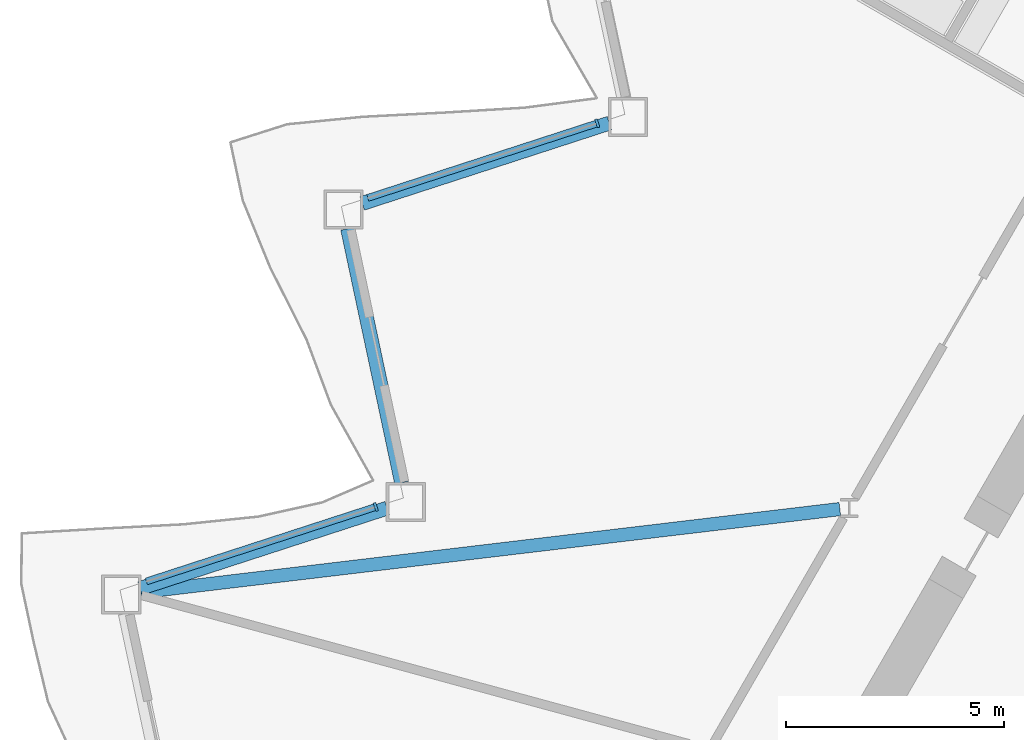
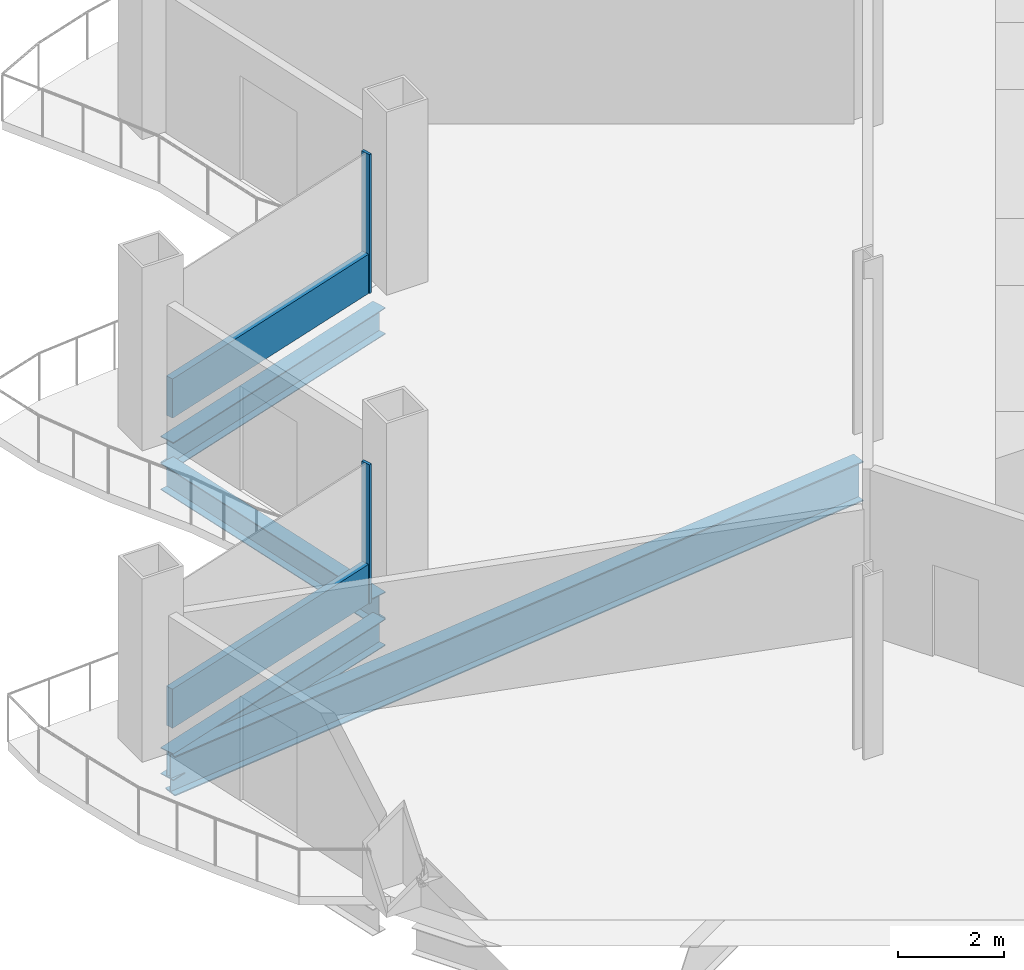
# One storey, part 4 of 21: 4 beams, 4 members, 2 elements without a shape of their own.
"""IFC4 building model written with IfcOpenShell, lengths in metres."""

import ifcopenshell
import ifcopenshell.guid

model = None  # the IFC model being written
_history = None  # IfcOwnerHistory: only IFC2X3 demands one
_inside = {}  # id of a spatial element -> (the spatial element, [elements in it])
_under = {}  # id of a project, library or spatial element -> (it, [spatial elements below it])
_declared = {}  # id of a project -> (the project, [libraries it declares])
_typed = {}  # id of a type object -> (the type object, [elements of that type])
_made_of = {}  # id of a material, layer set ... -> (it, [elements and type objects made of it])


def new_model(schema):
    """Start an empty IFC model of exactly this schema.

    Asked for "IFC4X3", IfcOpenShell would pick the latest addendum, in which some entities
    have other attributes; the version numbers below select the first issue.
    IFC2X3 requires an IfcOwnerHistory on every rooted entity: one is made here for all.
    """
    global model, _history
    if schema == "IFC4X3":
        model = ifcopenshell.file(schema_version=(4, 3, 0, 0))
    else:
        model = ifcopenshell.file(schema=schema)
    _inside.clear()
    _under.clear()
    _declared.clear()
    _typed.clear()
    _made_of.clear()
    _history = None
    if model.schema == "IFC2X3":
        org = make("IfcOrganization", Name="unknown")
        user = make(
            "IfcPersonAndOrganization",
            ThePerson=make("IfcPerson", FamilyName="unknown"),
            TheOrganization=org,
        )
        app = make(
            "IfcApplication",
            ApplicationDeveloper=org,
            Version="unknown",
            ApplicationFullName="unknown",
            ApplicationIdentifier="unknown",
        )
        _history = make(
            "IfcOwnerHistory",
            OwningUser=user,
            OwningApplication=app,
            ChangeAction="ADDED",
            CreationDate=0,
        )
    return model


def make(cls, **values):
    """One entity of the class cls with the attributes given. An attribute that is None is left unset."""
    return model.create_entity(
        cls, **{name: value for name, value in values.items() if value is not None}
    )


def rooted(cls, **values):
    """An entity with a GlobalId (a new one), such as an element, a storey or a relation."""
    return make(cls, GlobalId=ifcopenshell.guid.new(), OwnerHistory=_history, **values)


def si_unit(unit_type, name, prefix=None):
    """IfcSIUnit, for example si_unit("LENGTHUNIT", "METRE", prefix="MILLI")."""
    return make("IfcSIUnit", UnitType=unit_type, Prefix=prefix, Name=name)


def assignment(units):
    """IfcUnitAssignment: the units of a project."""
    return None if units is None else make("IfcUnitAssignment", Units=units)


def point(xyz):
    """IfcCartesianPoint."""
    return None if xyz is None else make("IfcCartesianPoint", Coordinates=xyz)


def direction(xyz):
    """IfcDirection."""
    return None if xyz is None else make("IfcDirection", DirectionRatios=xyz)


def frame(location, z_axis=None, x_axis=None):
    """IfcAxis2Placement3D, a coordinate frame: its origin and axes. An axis left out is left unset."""
    return make(
        "IfcAxis2Placement3D",
        Location=point(location),
        Axis=direction(z_axis),
        RefDirection=direction(x_axis),
    )


def frame_2d(location, x_axis=None):
    """IfcAxis2Placement2D, a coordinate frame in the plane: its origin and x axis."""
    return make(
        "IfcAxis2Placement2D", Location=point(location), RefDirection=direction(x_axis)
    )


def origin():
    """The frame at (0, 0, 0) with its axes left unset."""
    return frame((0.0, 0.0, 0.0))


def origin_2d():
    """The frame at (0, 0) in the plane with its x axis left unset."""
    return frame_2d((0.0, 0.0))


def place(relative_to, where):
    """IfcLocalPlacement: puts the frame where relative to a parent placement (None: the world)."""
    return make(
        "IfcLocalPlacement", PlacementRelTo=relative_to, RelativePlacement=where
    )


def context(
    kind, dimensions, precision=None, world=None, true_north=None, identifier=None
):
    """IfcGeometricRepresentationContext, for example the 3D "Model" context."""
    return make(
        "IfcGeometricRepresentationContext",
        ContextIdentifier=identifier,
        ContextType=kind,
        CoordinateSpaceDimension=dimensions,
        Precision=precision,
        WorldCoordinateSystem=world,
        TrueNorth=true_north,
    )


def subcontext(parent, identifier, kind, view, scale=None):
    """IfcGeometricRepresentationSubContext, for example "Body" below "Model"."""
    return make(
        "IfcGeometricRepresentationSubContext",
        ContextIdentifier=identifier,
        ContextType=kind,
        ParentContext=parent,
        TargetScale=scale,
        TargetView=view,
    )


def project(units=None, contexts=None):
    """IfcProject with its units and contexts."""
    return rooted(
        "IfcProject",
        Name="project",
        RepresentationContexts=contexts,
        UnitsInContext=assignment(units),
    )


def spatial(cls, under=None, at=None, **own):
    """A site, building, storey or space (cls), placed at a placement, below another one or the project."""
    s = rooted(cls, ObjectPlacement=at, **own)
    if under is not None:
        _under.setdefault(under.id(), (under, []))[1].append(s)
    return s


def profile(cls, at=None, kind="AREA", **sizes):
    """A parametric profile (cls). Its sizes go by their IFC names, for example OverallWidth=200.0."""
    return make(cls, ProfileType=kind, Position=at, **sizes)


def rectangle(**sizes):
    """IfcRectangleProfileDef."""
    return profile("IfcRectangleProfileDef", **sizes)


def i_section(**sizes):
    """IfcIShapeProfileDef."""
    return profile("IfcIShapeProfileDef", **sizes)


def extrude(swept, where, along, depth):
    """IfcExtrudedAreaSolid: the profile swept, set in the frame where, extruded along a direction by depth."""
    return make(
        "IfcExtrudedAreaSolid",
        SweptArea=swept,
        Position=where,
        ExtrudedDirection=direction(along),
        Depth=depth,
    )


def shape(context_of_items, identifier, shape_type, items):
    """IfcShapeRepresentation: the items that make up one representation, for example the "Body"."""
    return make(
        "IfcShapeRepresentation",
        ContextOfItems=context_of_items,
        RepresentationIdentifier=identifier,
        RepresentationType=shape_type,
        Items=items,
    )


def material(Name=None, Category=None):
    """IfcMaterial."""
    return make("IfcMaterial", Name=Name, Category=Category)


def layer(
    of_material, thickness, ventilated=None, Name=None, Category=None, Priority=None
):
    """IfcMaterialLayer: one layer of a wall or slab, of a material (None: an air gap)."""
    return make(
        "IfcMaterialLayer",
        Material=of_material,
        LayerThickness=thickness,
        IsVentilated=ventilated,
        Name=Name,
        Category=Category,
        Priority=Priority,
    )


def layer_set(layers, Name=None):
    """IfcMaterialLayerSet."""
    return make("IfcMaterialLayerSet", MaterialLayers=layers, LayerSetName=Name)


def material_profile(
    of_material, cross_section, Name=None, Category=None, Priority=None
):
    """IfcMaterialProfile: a cross section and its material."""
    return make(
        "IfcMaterialProfile",
        Name=Name,
        Material=of_material,
        Profile=cross_section,
        Priority=Priority,
        Category=Category,
    )


def profile_set(profiles, Name=None, composite=None):
    """IfcMaterialProfileSet."""
    return make(
        "IfcMaterialProfileSet",
        Name=Name,
        MaterialProfiles=profiles,
        CompositeProfile=composite,
    )


def made_of(thing, what):
    """Note that an element or type object is made of a material, layer set ...; save() writes the relation."""
    if what is not None:
        _made_of.setdefault(what.id(), (what, []))[1].append(thing)
    return thing


def type_object(cls, material=None, **own):
    """A type object (cls), such as IfcWallType, which elements share."""
    return made_of(rooted(cls, **own), material)


def element(
    cls,
    number,
    at=None,
    inside=None,
    cuts=None,
    type_object=None,
    material=None,
    context=None,
    identifier="Body",
    shape_type=None,
    held_by="IfcProductDefinitionShape",
    body=None,
    shapes=None,
    **own,
):
    """One element of the class cls, such as IfcWall. Its Tag is "e" and its number.

    at: its placement. inside: the storey or other place that contains it. cuts: it is an
    opening in that element (IfcRelVoidsElement). A single representation is given by context,
    identifier, shape_type and body (its items); several are given by shapes. held_by: the class
    of the entity that holds the representations. save() writes the other relations.
    """
    e = rooted(cls, Tag="e%d" % number, ObjectPlacement=at, **own)
    if body is not None:
        shapes = [shape(context, identifier, shape_type, body)]
    if shapes is not None:
        e.Representation = make(held_by, Representations=shapes)
    if inside is not None:
        _inside.setdefault(inside.id(), (inside, []))[1].append(e)
    if cuts is not None:
        rooted(
            "IfcRelVoidsElement", RelatingBuildingElement=cuts, RelatedOpeningElement=e
        )
    if type_object is not None:
        _typed.setdefault(type_object.id(), (type_object, []))[1].append(e)
    return made_of(e, material)


def aggregate(whole, parts):
    """IfcRelAggregates: a whole, such as a stair, and the parts it consists of."""
    return rooted("IfcRelAggregates", RelatingObject=whole, RelatedObjects=parts)


def save(model, path):
    """Write the relations noted so far, then the file.

    IfcRelAggregates (storeys below a building ...), IfcRelContainedInSpatialStructure (elements
    in a storey), IfcRelDefinesByType, IfcRelAssociatesMaterial and IfcRelDeclares: one each for
    every whole, place, type object, material and project.
    """
    for whole, parts in _under.values():
        aggregate(whole, parts)
    for where, things in _inside.values():
        rooted(
            "IfcRelContainedInSpatialStructure",
            RelatedElements=things,
            RelatingStructure=where,
        )
    for kind, things in _typed.values():
        rooted("IfcRelDefinesByType", RelatedObjects=things, RelatingType=kind)
    for what, things in _made_of.values():
        rooted("IfcRelAssociatesMaterial", RelatedObjects=things, RelatingMaterial=what)
    for by, libraries in _declared.values():
        rooted("IfcRelDeclares", RelatingContext=by, RelatedDefinitions=libraries)
    model.write(path)


model = new_model("IFC4")

# Units and contexts
model_context = context("Model", 3, precision=1e-05, world=origin(), true_north=direction((0.0, 1.0)))
body_context = subcontext(model_context, "Body", "Model", "MODEL_VIEW")
ifc_project = project(units=[si_unit("LENGTHUNIT", "METRE"), si_unit("AREAUNIT", "SQUARE_METRE"), si_unit("VOLUMEUNIT", "CUBIC_METRE"), si_unit("PLANEANGLEUNIT", "RADIAN"), si_unit("MASSUNIT", "GRAM", prefix="KILO")], contexts=[model_context])

# Site, building, storey
site_placement = place(None, origin())
site = spatial("IfcSite", under=ifc_project, at=site_placement, CompositionType="ELEMENT")
building_placement = place(site_placement, origin())
building = spatial("IfcBuilding", under=site, at=building_placement, Name="Cormorant Prow Tower", CompositionType="ELEMENT")
storey_placement = place(building_placement, frame((0.0, 0.0, 150.0)))
storey = spatial("IfcBuildingStorey", under=building, at=storey_placement, Name="L32", CompositionType="ELEMENT", Elevation=150.0)

# Curtain wall, member
ifc_material_1 = material(Name="Aluminium 6063-T6", Category="aluminium")
ifc_layer = layer(ifc_material_1, 0.199951171875)
ifc_layer_set = layer_set([ifc_layer], Name="Aluminium 6063-T6")
curtain_wall_type = type_object("IfcCurtainWallType", Name="Office unitised curtain wall 200", PredefinedType="NOTDEFINED", material=ifc_layer_set)
curtain_wall_1_placement = place(storey_placement, origin())
curtain_wall_1 = element("IfcCurtainWall", 1, at=curtain_wall_1_placement, inside=storey, type_object=curtain_wall_type, Name="Office curtain wall WNW06", PredefinedType="NOTDEFINED")
ifc_material_2 = material(Name="Aluminium 6063-T6", Category="aluminium")
ifc_material_profile_1 = material_profile(ifc_material_2, rectangle(XDim=0.199951171875, YDim=0.06005859375, at=origin_2d()), Name="Office mullion 60x200")
ifc_profile_set_1 = profile_set([ifc_material_profile_1], Name="Aluminium 6063-T6")
member_type_1 = type_object("IfcMemberType", Name="Office mullion 60x200", PredefinedType="MULLION", material=ifc_profile_set_1)
member_1_placement = place(storey_placement, frame((-21.275390625, 5.844482421875, 0.0), z_axis=(0.0, 0.0, 1.0), x_axis=(0.309016967385, -0.951056525065, 0.0)))
member_1 = element("IfcMember", 2, at=member_1_placement, type_object=member_type_1, Name="Office mullion WNW06", PredefinedType="MULLION", context=body_context, shape_type="SweptSolid", body=[
    extrude(rectangle(XDim=0.199951171875, YDim=0.06005859375, at=origin_2d()), origin(), (0.0, 0.0, 1.0), 3.18896484375),
])

curtain_wall_2_placement = place(storey_placement, origin())
curtain_wall_2 = element("IfcCurtainWall", 3, at=curtain_wall_2_placement, inside=storey, type_object=curtain_wall_type, Name="Office curtain wall WNW08", PredefinedType="NOTDEFINED")
member_2_placement = place(storey_placement, frame((-26.35693359375, -2.956787109375, 0.0), z_axis=(0.0, 0.0, 1.0), x_axis=(0.309016967385, -0.951056525065, 0.0)))
member_2 = element("IfcMember", 4, at=member_2_placement, type_object=member_type_1, Name="Office mullion WNW08", PredefinedType="MULLION", context=body_context, shape_type="SweptSolid", body=[
    extrude(rectangle(XDim=0.199951171875, YDim=0.06005859375, at=origin_2d()), origin(), (0.0, 0.0, 1.0), 3.18896484375),
])

# Member
ifc_material_3 = material(Name="Terracotta", Category="masonry")
ifc_material_profile_2 = material_profile(ifc_material_3, rectangle(XDim=0.159912109375, YDim=0.89990234375, at=origin_2d()), Name="Office terracotta spandrel rail 160x900")
ifc_profile_set_2 = profile_set([ifc_material_profile_2], Name="Terracotta")
member_type_2 = type_object("IfcMemberType", Name="Office terracotta spandrel rail 160x900", PredefinedType="USERDEFINED", material=ifc_profile_set_2)
member_3_placement = place(storey_placement, frame((-21.303955078125, 5.835205078125, 0.449951171875), z_axis=(-0.951054921763, -0.309021901798, 0.0), x_axis=(0.309021901798, -0.951054921763, 0.0)))
member_3 = element("IfcMember", 5, at=member_3_placement, type_object=member_type_2, Name="Office spandrel rail WNW06", ObjectType="TRANSOM", PredefinedType="USERDEFINED", context=body_context, shape_type="SweptSolid", body=[
    extrude(rectangle(XDim=0.159912109375, YDim=0.89990234375, at=origin_2d()), origin(), (0.0, 0.0, 1.0), 5.505859375),
])

aggregate(curtain_wall_1, [member_1, member_3])

member_4_placement = place(storey_placement, frame((-26.385498046875, -2.966064453125, 0.449951171875), z_axis=(-0.951054921763, -0.309021901798, 0.0), x_axis=(0.309021901798, -0.951054921763, 0.0)))
member_4 = element("IfcMember", 6, at=member_4_placement, type_object=member_type_2, Name="Office spandrel rail WNW08", ObjectType="TRANSOM", PredefinedType="USERDEFINED", context=body_context, shape_type="SweptSolid", body=[
    extrude(rectangle(XDim=0.159912109375, YDim=0.89990234375, at=origin_2d()), origin(), (0.0, 0.0, 1.0), 5.505859375),
])

aggregate(curtain_wall_2, [member_2, member_4])

# Beams
ifc_material_4 = material(Name="Structural steel ASTM A992 Gr 50", Category="steel")
ifc_material_profile_3 = material_profile(ifc_material_4, i_section(OverallWidth=0.3046875, OverallDepth=0.914794921875, WebThickness=0.0166015625, FlangeThickness=0.02587890625, at=origin_2d()), Name="W36x160")
ifc_profile_set_3 = profile_set([ifc_material_profile_3], Name="Structural steel ASTM A992 Gr 50")
beam_type_1 = type_object("IfcBeamType", Name="Radial floor beam W36x160", PredefinedType="BEAM", material=ifc_profile_set_3)
beam_1_placement = place(storey_placement, frame((-15.70849609375, -3.00732421875, -0.857421875), z_axis=(-0.993009167646, -0.118037252474, 0.0), x_axis=(0.118037252474, -0.993009167646, 0.0)))
element("IfcBeam", 7, at=beam_1_placement, inside=storey, type_object=beam_type_1, Name="Radial floor beam FB1 4 L32", PredefinedType="BEAM", context=body_context, shape_type="SweptSolid", body=[
    extrude(i_section(OverallWidth=0.3046875, OverallDepth=0.914794921875, WebThickness=0.0166015625, FlangeThickness=0.02587890625, at=origin_2d()), origin(), (0.0, 0.0, 1.0), 16.15380859375),
])
ifc_material_5 = material(Name="Structural steel ASTM A992 Gr 50", Category="steel")
ifc_material_profile_4 = material_profile(ifc_material_5, i_section(OverallWidth=0.32373046875, OverallDepth=0.611083984375, WebThickness=0.0126953125, FlangeThickness=0.01904296875, at=origin_2d()), Name="W24x104")
ifc_profile_set_4 = profile_set([ifc_material_profile_4], Name="Structural steel ASTM A992 Gr 50")
beam_type_2 = type_object("IfcBeamType", Name="Spandrel beam W24x104", PredefinedType="SPANDREL", material=ifc_profile_set_4)
beam_2_placement = place(storey_placement, frame((-20.99755859375, 5.847900390625, -0.70556640625), z_axis=(-0.951055430656, -0.309020335608, 0.0), x_axis=(0.309020335608, -0.951055430656, 0.0)))
element("IfcBeam", 8, at=beam_2_placement, inside=storey, type_object=beam_type_2, Name="Spandrel beam SB1 WNW06-WNW07 L32", PredefinedType="SPANDREL", context=body_context, shape_type="SweptSolid", body=[
    extrude(i_section(OverallWidth=0.32373046875, OverallDepth=0.611083984375, WebThickness=0.0126953125, FlangeThickness=0.01904296875, at=origin_2d()), origin(), (0.0, 0.0, 1.0), 5.96240234375),
])
for number, where, z_axis, x_axis, name in (
    (9, (-27.002685546875, 3.426025390625, -0.70556640625), (0.207920947907, -0.978145633033, 0.0), (0.978145633033, 0.207920947907, 0.0), "Spandrel beam SB1 WNW07-WNW08 L32"),
    (10, (-26.097412109375, -2.985595703125, -0.70556640625), (-0.951059340519, -0.309008302174, 0.0), (0.309008302174, -0.951059340519, 0.0), "Spandrel beam SB1 WNW08-WNW09 L32"),
):
    element("IfcBeam", number, at=place(storey_placement, frame(where, z_axis=z_axis, x_axis=x_axis)), inside=storey, type_object=beam_type_2, Name=name, PredefinedType="SPANDREL", context=body_context, shape_type="SweptSolid", body=[
        extrude(i_section(OverallWidth=0.32373046875, OverallDepth=0.611083984375, WebThickness=0.0126953125, FlangeThickness=0.01904296875, at=origin_2d()), origin(), (0.0, 0.0, 1.0), 5.962646484375),
    ])

save(model, "model.ifc")
